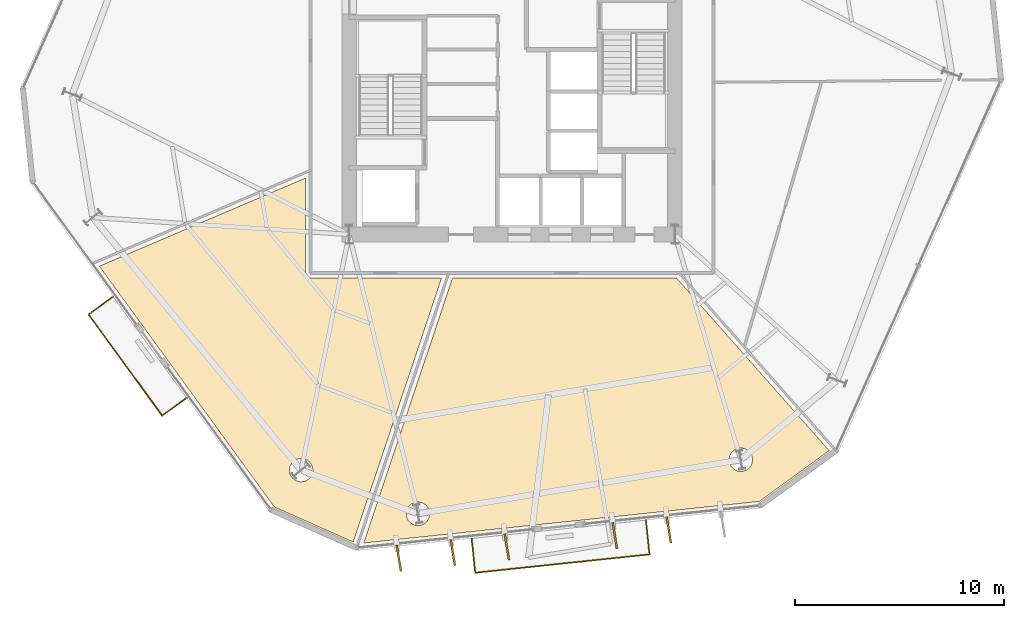
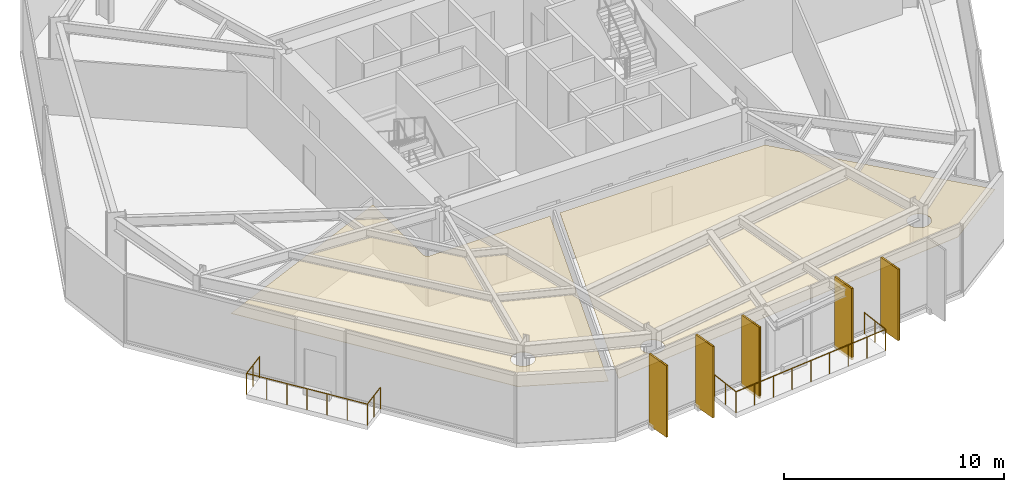
# One storey, part 9 of 11: 7 coverings, 5 shading devices, 2 railings.
"""IFC4 building model written with IfcOpenShell, lengths in metres."""

from ifc_helpers import new_model, si_unit, direction, frame, origin, origin_2d, place, context, subcontext, project, spatial, polyline, rectangle, circle, outline, extrude, material, layer, layer_set, type_object, element, save


model = new_model("IFC4")

# Units and contexts
model_context = context("Model", 3, precision=1e-05, world=origin(), true_north=direction((0.0, 1.0)))
body_context = subcontext(model_context, "Body", "Model", "MODEL_VIEW")
ifc_project = project(units=[si_unit("LENGTHUNIT", "METRE"), si_unit("AREAUNIT", "SQUARE_METRE"), si_unit("VOLUMEUNIT", "CUBIC_METRE"), si_unit("PLANEANGLEUNIT", "RADIAN"), si_unit("MASSUNIT", "GRAM", prefix="KILO")], contexts=[model_context])

# Site, building, storey
site_placement = place(None, origin())
site = spatial("IfcSite", under=ifc_project, at=site_placement, CompositionType="ELEMENT")
building_placement = place(site_placement, origin())
building = spatial("IfcBuilding", under=site, at=building_placement, Name="Kranzbogen Civic Tower", CompositionType="ELEMENT")
storey_placement = place(building_placement, frame((0.0, 0.0, 44.0)))
storey = spatial("IfcBuildingStorey", under=building, at=storey_placement, Name="L10", CompositionType="ELEMENT", Elevation=44.0)

# Coverings
ifc_material_1 = material(Name="Pale Anodised Aluminium", Category="aluminium")
ifc_layer_1 = layer(ifc_material_1, 0.02490234375, Name="Pale Anodised Aluminium")
ifc_layer_set_1 = layer_set([ifc_layer_1], Name="Pale Anodised Aluminium")
covering_type_1 = type_object("IfcCoveringType", Name="Anodised Aluminium Vertical Fin Cladding 25 mm", PredefinedType="CLADDING", material=ifc_layer_set_1)
for number, where, z_axis, x_axis, name in (
    (1, (19.5791015625, 2.298095703125, -0.139892578125), (0.0, 0.0, 1.0), (0.161397130983, -0.986889540988, 0.0), "L10 vertical fin pale-metal cladding F5-1"),
    (2, (22.1650390625, 2.569091796875, -0.139892578125), (0.0, 0.0, 1.0), (0.161397130983, -0.986889540988, 0.0), "L10 vertical fin pale-metal cladding F5-2"),
    (3, (24.7509765625, 2.841064453125, -0.139892578125), (0.0, 0.0, 1.0), (0.161397130983, -0.986889540988, 0.0), "L10 vertical fin pale-metal cladding F5-3"),
    (4, (29.922119140625, 3.385009765625, -0.139892578125), (0.0, 0.0, 1.0), (0.161397130983, -0.986889540988, 0.0), "L10 vertical fin pale-metal cladding F5-5"),
    (5, (32.508056640625, 3.656005859375, -0.139892578125), (0.0, 0.0, 1.0), (0.161397130983, -0.986889540988, 0.0), "L10 vertical fin pale-metal cladding F5-6"),
):
    element("IfcCovering", number, at=place(storey_placement, frame(where, z_axis=z_axis, x_axis=x_axis)), inside=storey, type_object=covering_type_1, Name=name, PredefinedType="CLADDING", context=body_context, shape_type="SweptSolid", body=[
        extrude(rectangle(XDim=1.25, YDim=0.10009765625, at=origin_2d()), origin(), (0.0, 0.0, 1.0), 3.9599609375),
    ])

# Shading devices
ifc_material_2 = material(Name="Anodised Bronze Aluminium", Category="aluminium")
shading_device_type = type_object("IfcShadingDeviceType", Name="Anodised Bronze Vertical Facade Fin 1250x80", PredefinedType="USERDEFINED", material=ifc_material_2)
for number, where, z_axis, x_axis, name in (
    (6, (19.5791015625, 2.298095703125, -0.139892578125), (0.0, 0.0, 1.0), (0.161397130983, -0.986889540988, 0.0), "L10 vertical exterior shading fin F5-1"),
    (7, (22.1650390625, 2.569091796875, -0.139892578125), (0.0, 0.0, 1.0), (0.161397130983, -0.986889540988, 0.0), "L10 vertical exterior shading fin F5-2"),
    (8, (24.7509765625, 2.841064453125, -0.139892578125), (0.0, 0.0, 1.0), (0.161397130983, -0.986889540988, 0.0), "L10 vertical exterior shading fin F5-3"),
    (9, (29.922119140625, 3.385009765625, -0.139892578125), (0.0, 0.0, 1.0), (0.161397130983, -0.986889540988, 0.0), "L10 vertical exterior shading fin F5-5"),
    (10, (32.508056640625, 3.656005859375, -0.139892578125), (0.0, 0.0, 1.0), (0.161397130983, -0.986889540988, 0.0), "L10 vertical exterior shading fin F5-6"),
):
    element("IfcShadingDevice", number, at=place(storey_placement, frame(where, z_axis=z_axis, x_axis=x_axis)), inside=storey, type_object=shading_device_type, Name=name, ObjectType="FIN", PredefinedType="USERDEFINED", context=body_context, shape_type="SweptSolid", body=[
        extrude(rectangle(XDim=1.25, YDim=0.080078125, at=origin_2d()), origin(), (0.0, 0.0, 1.0), 3.9599609375),
    ])

# Railings
railing_type = type_object("IfcRailingType", Name="Cantilevered Balcony Glass and Bronze Balustrade 1200", PredefinedType="BALUSTRADE", material=ifc_material_2)
railing_1_placement = place(storey_placement, frame((5.89306640625, 14.825927734375, 0.0)))
element("IfcRailing", 11, at=railing_1_placement, inside=storey, type_object=railing_type, Name="L10 exterior terrace balustrade L10-TB1", PredefinedType="BALUSTRADE", context=body_context, shape_type="SweptSolid", body=[
    extrude(circle(Radius=0.02392578125, at=origin_2d()), frame((0.0, 0.0, 1.17578125), z_axis=(-0.80918007546, -0.587560724928, 0.0), x_axis=(0.587560724928, -0.80918007546, 0.0)), (0.0, 0.0, 1.0), 1.44970703125),
    extrude(circle(Radius=0.02392578125, at=origin_2d()), frame((-1.173095703125, -0.851806640625, 1.17578125), z_axis=(0.587835356953, -0.808980588838, 0.0), x_axis=(0.808980588838, 0.587835356953, 0.0)), (0.0, 0.0, 1.0), 6.000244140625),
    extrude(circle(Radius=0.02392578125, at=origin_2d()), frame((2.35400390625, -5.705810546875, 1.17578125), z_axis=(0.809121925947, 0.587640799257, 0.0), x_axis=(-0.587640799257, 0.809121925947, 0.0)), (0.0, 0.0, 1.0), 1.449462890625),
    extrude(circle(Radius=0.02099609375, at=origin_2d()), origin(), (0.0, 0.0, 1.0), 1.15185546875),
    extrude(circle(Radius=0.02099609375, at=origin_2d()), frame((-0.58642578125, -0.42578125, 0.0)), (0.0, 0.0, 1.0), 1.15185546875),
    extrude(circle(Radius=0.02099609375, at=origin_2d()), frame((-1.173095703125, -0.851806640625, 0.0)), (0.0, 0.0, 1.0), 1.15185546875),
    extrude(circle(Radius=0.02099609375, at=origin_2d()), frame((-0.585205078125, -1.660888671875, 0.0)), (0.0, 0.0, 1.0), 1.15185546875),
    extrude(circle(Radius=0.02099609375, at=origin_2d()), frame((0.002685546875, -2.4697265625, 0.0)), (0.0, 0.0, 1.0), 1.15185546875),
    extrude(circle(Radius=0.02099609375, at=origin_2d()), frame((0.59033203125, -3.27880859375, 0.0)), (0.0, 0.0, 1.0), 1.15185546875),
    extrude(circle(Radius=0.02099609375, at=origin_2d()), frame((1.17822265625, -4.087890625, 0.0)), (0.0, 0.0, 1.0), 1.15185546875),
    extrude(circle(Radius=0.02099609375, at=origin_2d()), frame((1.76611328125, -4.896728515625, 0.0)), (0.0, 0.0, 1.0), 1.15185546875),
    extrude(circle(Radius=0.02099609375, at=origin_2d()), frame((2.35400390625, -5.705810546875, 0.0)), (0.0, 0.0, 1.0), 1.15185546875),
    extrude(circle(Radius=0.02099609375, at=origin_2d()), frame((2.9404296875, -5.27978515625, 0.0)), (0.0, 0.0, 1.0), 1.15185546875),
    extrude(circle(Radius=0.02099609375, at=origin_2d()), frame((3.52685546875, -4.85400390625, 0.0)), (0.0, 0.0, 1.0), 1.15185546875),
])
railing_2_placement = place(storey_placement, frame((23.06396484375, 3.240966796875, 0.0)))
element("IfcRailing", 12, at=railing_2_placement, inside=storey, type_object=railing_type, Name="L10 exterior terrace balustrade L10-ST", PredefinedType="BALUSTRADE", context=body_context, shape_type="SweptSolid", body=[
    extrude(circle(Radius=0.02392578125, at=origin_2d()), frame((0.0, 0.0, 1.17578125), z_axis=(0.104322744314, -0.99454349579, 0.0), x_axis=(0.99454349579, 0.104322744314, 0.0)), (0.0, 0.0, 1.0), 1.64990234375),
    extrude(circle(Radius=0.02392578125, at=origin_2d()), frame((0.172119140625, -1.640869140625, 1.17578125), z_axis=(0.994523275226, 0.104515333968, 0.0), x_axis=(-0.104515333968, 0.994523275226, 0.0)), (0.0, 0.0, 1.0), 8.39990234375),
    extrude(circle(Radius=0.02392578125, at=origin_2d()), frame((8.526123046875, -0.762939453125, 1.17578125), z_axis=(-0.104322744314, 0.99454349579, 0.0), x_axis=(-0.99454349579, -0.104322744314, 0.0)), (0.0, 0.0, 1.0), 1.64990234375),
    extrude(circle(Radius=0.02099609375, at=origin_2d()), origin(), (0.0, 0.0, 1.0), 1.15185546875),
    extrude(circle(Radius=0.02099609375, at=origin_2d()), frame((0.0859375, -0.8203125, 0.0)), (0.0, 0.0, 1.0), 1.15185546875),
    extrude(circle(Radius=0.02099609375, at=origin_2d()), frame((0.172119140625, -1.640869140625, 0.0)), (0.0, 0.0, 1.0), 1.15185546875),
    extrude(circle(Radius=0.02099609375, at=origin_2d()), frame((1.21630859375, -1.53125, 0.0)), (0.0, 0.0, 1.0), 1.15185546875),
    extrude(circle(Radius=0.02099609375, at=origin_2d()), frame((2.2607421875, -1.42138671875, 0.0)), (0.0, 0.0, 1.0), 1.15185546875),
    extrude(circle(Radius=0.02099609375, at=origin_2d()), frame((3.304931640625, -1.3115234375, 0.0)), (0.0, 0.0, 1.0), 1.15185546875),
    extrude(circle(Radius=0.02099609375, at=origin_2d()), frame((4.34912109375, -1.201904296875, 0.0)), (0.0, 0.0, 1.0), 1.15185546875),
    extrude(circle(Radius=0.02099609375, at=origin_2d()), frame((5.393310546875, -1.09228515625, 0.0)), (0.0, 0.0, 1.0), 1.15185546875),
    extrude(circle(Radius=0.02099609375, at=origin_2d()), frame((6.4375, -0.982421875, 0.0)), (0.0, 0.0, 1.0), 1.15185546875),
    extrude(circle(Radius=0.02099609375, at=origin_2d()), frame((7.48193359375, -0.87255859375, 0.0)), (0.0, 0.0, 1.0), 1.15185546875),
    extrude(circle(Radius=0.02099609375, at=origin_2d()), frame((8.526123046875, -0.762939453125, 0.0)), (0.0, 0.0, 1.0), 1.15185546875),
    extrude(circle(Radius=0.02099609375, at=origin_2d()), frame((8.43994140625, 0.0576171875, 0.0)), (0.0, 0.0, 1.0), 1.15185546875),
    extrude(circle(Radius=0.02099609375, at=origin_2d()), frame((8.35400390625, 0.8779296875, 0.0)), (0.0, 0.0, 1.0), 1.15185546875),
])

# Coverings
ifc_material_3 = material(Name="Perforated Acoustic Gypsum Ceiling")
ifc_layer_2 = layer(ifc_material_3, 0.02490234375, Name="Perforated Acoustic Gypsum Ceiling")
ifc_layer_set_2 = layer_set([ifc_layer_2], Name="Perforated Acoustic Gypsum Ceiling")
covering_type_2 = type_object("IfcCoveringType", Name="Perforated Acoustic Mineral Ceiling Tile 25 mm", PredefinedType="CEILING", material=ifc_layer_set_2)
covering_1_placement = place(storey_placement, frame((0.0, 0.0, 2.89990234375)))
element("IfcCovering", 13, at=covering_1_placement, inside=storey, type_object=covering_type_2, Name="L10 Ministerial Policy Office acoustic ceiling", PredefinedType="CEILING", context=body_context, shape_type="SweptSolid", body=[
    extrude(outline(polyline([(5.237060546875, 16.282958984375), (15.10498046875, 20.501953125), (15.10498046875, 15.949951171875), (15.10498046875, 15.94091796875), (15.10595703125, 15.93505859375), (15.10693359375, 15.9169921875), (15.10791015625, 15.910888671875), (15.112060546875, 15.89404296875), (15.113037109375, 15.886962890625), (15.117919921875, 15.8701171875), (15.1201171875, 15.864013671875), (15.126953125, 15.847900390625), (15.1298828125, 15.842041015625), (15.137939453125, 15.826904296875), (15.14208984375, 15.821044921875), (15.15087890625, 15.806884765625), (15.155029296875, 15.802001953125), (15.166015625, 15.7880859375), (15.1708984375, 15.782958984375), (15.18310546875, 15.77099609375), (15.18798828125, 15.76611328125), (15.201904296875, 15.7548828125), (15.20703125, 15.7509765625), (15.220947265625, 15.741943359375), (15.22705078125, 15.738037109375), (15.241943359375, 15.72998046875), (15.248046875, 15.72705078125), (15.263916015625, 15.719970703125), (15.27001953125, 15.718017578125), (15.287109375, 15.712890625), (15.2939453125, 15.7119140625), (15.31103515625, 15.7080078125), (15.31689453125, 15.70703125), (15.3349609375, 15.7060546875), (15.341064453125, 15.705078125), (15.35009765625, 15.705078125), (21.6279296875, 15.705078125), (17.39501953125, 3.068115234375), (13.616943359375, 4.7490234375), (5.237060546875, 16.282958984375)]), holes=[polyline([(15.41796875, 6.302001953125), (15.39404296875, 6.251953125), (15.365966796875, 6.205078125), (15.3330078125, 6.160888671875), (15.297119140625, 6.1201171875), (15.256103515625, 6.083984375), (15.2119140625, 6.051025390625), (15.1650390625, 6.02294921875), (15.114990234375, 5.9990234375), (15.06298828125, 5.98095703125), (15.010009765625, 5.967041015625), (14.9560546875, 5.958984375), (14.90087890625, 5.95703125), (14.845947265625, 5.958984375), (14.7919921875, 5.967041015625), (14.739013671875, 5.98095703125), (14.68701171875, 5.9990234375), (14.636962890625, 6.02294921875), (14.590087890625, 6.051025390625), (14.5458984375, 6.083984375), (14.5048828125, 6.1201171875), (14.468994140625, 6.160888671875), (14.43603515625, 6.205078125), (14.407958984375, 6.251953125), (14.384033203125, 6.302001953125), (14.365966796875, 6.35400390625), (14.35205078125, 6.406982421875), (14.343994140625, 6.4609375), (14.342041015625, 6.51611328125), (14.343994140625, 6.571044921875), (14.35205078125, 6.625), (14.365966796875, 6.677978515625), (14.384033203125, 6.72998046875), (14.407958984375, 6.780029296875), (14.43603515625, 6.826904296875), (14.468994140625, 6.87109375), (14.5048828125, 6.912109375), (14.5458984375, 6.947998046875), (14.590087890625, 6.98095703125), (14.636962890625, 7.009033203125), (14.68701171875, 7.032958984375), (14.739013671875, 7.051025390625), (14.7919921875, 7.06494140625), (14.845947265625, 7.072998046875), (14.90087890625, 7.074951171875), (14.9560546875, 7.072998046875), (15.010009765625, 7.06494140625), (15.06298828125, 7.051025390625), (15.114990234375, 7.032958984375), (15.1650390625, 7.009033203125), (15.2119140625, 6.98095703125), (15.256103515625, 6.947998046875), (15.297119140625, 6.912109375), (15.3330078125, 6.87109375), (15.365966796875, 6.826904296875), (15.39404296875, 6.780029296875), (15.41796875, 6.72998046875), (15.43603515625, 6.677978515625), (15.449951171875, 6.625), (15.4580078125, 6.571044921875), (15.4599609375, 6.51611328125), (15.4580078125, 6.4609375), (15.449951171875, 6.406982421875), (15.43603515625, 6.35400390625), (15.41796875, 6.302001953125)])]), origin(), (0.0, 0.0, 1.0), 0.025146484375),
])
covering_2_placement = place(storey_placement, frame((0.0, 0.0, 2.89990234375)))
element("IfcCovering", 14, at=covering_2_placement, inside=storey, type_object=covering_type_2, Name="L10 Directorate Admin Workspace acoustic ceiling", PredefinedType="CEILING", context=body_context, shape_type="SweptSolid", body=[
    extrude(outline(polyline([(17.89697265625, 3.02490234375), (22.14501953125, 15.705078125), (32.89111328125, 15.705078125), (40.19189453125, 7.447021484375), (36.844970703125, 5.01611328125), (17.89697265625, 3.02490234375)]), holes=[polyline([(21.011962890625, 4.2099609375), (20.988037109375, 4.159912109375), (20.9599609375, 4.113037109375), (20.927001953125, 4.069091796875), (20.89111328125, 4.028076171875), (20.85009765625, 3.991943359375), (20.805908203125, 3.958984375), (20.759033203125, 3.930908203125), (20.708984375, 3.906982421875), (20.656982421875, 3.888916015625), (20.60400390625, 3.875), (20.550048828125, 3.866943359375), (20.4951171875, 3.864990234375), (20.43994140625, 3.866943359375), (20.385986328125, 3.875), (20.3330078125, 3.888916015625), (20.281005859375, 3.906982421875), (20.23095703125, 3.930908203125), (20.18408203125, 3.958984375), (20.139892578125, 3.991943359375), (20.09912109375, 4.028076171875), (20.06298828125, 4.069091796875), (20.030029296875, 4.113037109375), (20.001953125, 4.159912109375), (19.97802734375, 4.2099609375), (19.9599609375, 4.261962890625), (19.946044921875, 4.31494140625), (19.93798828125, 4.368896484375), (19.93603515625, 4.424072265625), (19.93798828125, 4.47900390625), (19.946044921875, 4.532958984375), (19.9599609375, 4.5859375), (19.97802734375, 4.637939453125), (20.001953125, 4.68798828125), (20.030029296875, 4.735107421875), (20.06298828125, 4.779052734375), (20.09912109375, 4.820068359375), (20.139892578125, 4.85595703125), (20.18408203125, 4.888916015625), (20.23095703125, 4.9169921875), (20.281005859375, 4.94091796875), (20.3330078125, 4.958984375), (20.385986328125, 4.972900390625), (20.43994140625, 4.98095703125), (20.4951171875, 4.98291015625), (20.550048828125, 4.98095703125), (20.60400390625, 4.972900390625), (20.656982421875, 4.958984375), (20.708984375, 4.94091796875), (20.759033203125, 4.9169921875), (20.805908203125, 4.888916015625), (20.85009765625, 4.85595703125), (20.89111328125, 4.820068359375), (20.927001953125, 4.779052734375), (20.9599609375, 4.735107421875), (20.988037109375, 4.68798828125), (21.011962890625, 4.637939453125), (21.030029296875, 4.5859375), (21.0439453125, 4.532958984375), (21.052001953125, 4.47900390625), (21.053955078125, 4.424072265625), (21.052001953125, 4.368896484375), (21.0439453125, 4.31494140625), (21.030029296875, 4.261962890625), (21.011962890625, 4.2099609375)]), polyline([(36.47509765625, 6.798095703125), (36.450927734375, 6.748046875), (36.423095703125, 6.700927734375), (36.389892578125, 6.656982421875), (36.35400390625, 6.615966796875), (36.31298828125, 6.580078125), (36.26904296875, 6.547119140625), (36.221923828125, 6.51904296875), (36.172119140625, 6.4951171875), (36.1201171875, 6.47705078125), (36.06689453125, 6.462890625), (36.012939453125, 6.455078125), (35.9580078125, 6.452880859375), (35.903076171875, 6.455078125), (35.84912109375, 6.462890625), (35.7958984375, 6.47705078125), (35.743896484375, 6.4951171875), (35.694091796875, 6.51904296875), (35.64697265625, 6.547119140625), (35.60302734375, 6.580078125), (35.56201171875, 6.615966796875), (35.52587890625, 6.656982421875), (35.492919921875, 6.700927734375), (35.465087890625, 6.748046875), (35.44091796875, 6.798095703125), (35.423095703125, 6.85009765625), (35.408935546875, 6.903076171875), (35.40087890625, 6.95703125), (35.39892578125, 7.011962890625), (35.40087890625, 7.06689453125), (35.408935546875, 7.12109375), (35.423095703125, 7.174072265625), (35.44091796875, 7.22607421875), (35.465087890625, 7.27587890625), (35.492919921875, 7.322998046875), (35.52587890625, 7.366943359375), (35.56201171875, 7.407958984375), (35.60302734375, 7.444091796875), (35.64697265625, 7.47705078125), (35.694091796875, 7.5048828125), (35.743896484375, 7.529052734375), (35.7958984375, 7.547119140625), (35.84912109375, 7.56103515625), (35.903076171875, 7.569091796875), (35.9580078125, 7.571044921875), (36.012939453125, 7.569091796875), (36.06689453125, 7.56103515625), (36.1201171875, 7.547119140625), (36.172119140625, 7.529052734375), (36.221923828125, 7.5048828125), (36.26904296875, 7.47705078125), (36.31298828125, 7.444091796875), (36.35400390625, 7.407958984375), (36.389892578125, 7.366943359375), (36.423095703125, 7.322998046875), (36.450927734375, 7.27587890625), (36.47509765625, 7.22607421875), (36.492919921875, 7.174072265625), (36.507080078125, 7.12109375), (36.514892578125, 7.06689453125), (36.51708984375, 7.011962890625), (36.514892578125, 6.95703125), (36.507080078125, 6.903076171875), (36.492919921875, 6.85009765625), (36.47509765625, 6.798095703125)])]), origin(), (0.0, 0.0, 1.0), 0.025146484375),
])

save(model, "model.ifc")
